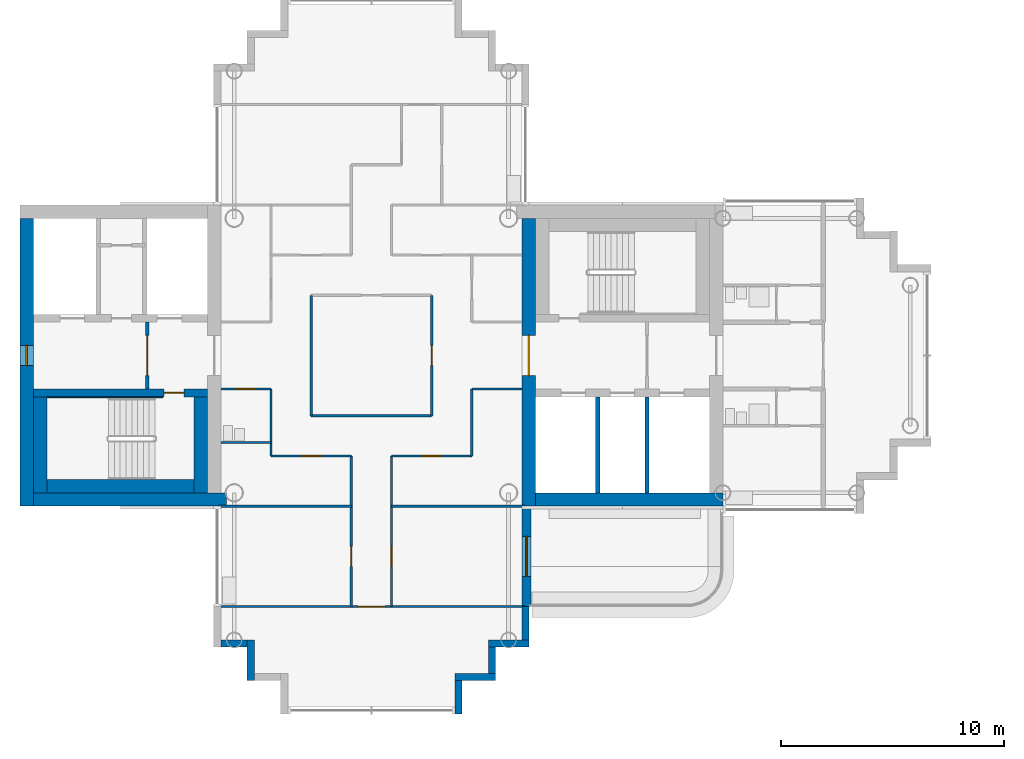
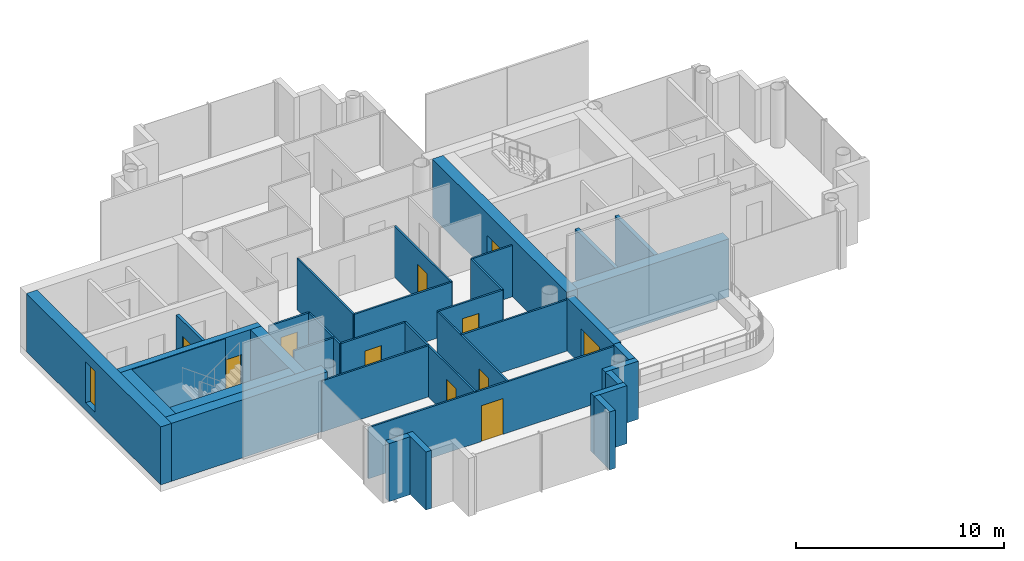
# One storey, part 6 of 18: 35 walls, 11 doors, 1 window, 12 openings.
"""IFC4 building model written with IfcOpenShell, lengths in metres."""

from ifc_helpers import new_model, si_unit, direction, frame, frame_2d, origin, place, context, subcontext, project, spatial, rectangle, extrude, material, layer, layer_set, type_object, element, fill, save


model = new_model("IFC4")

# Units and contexts
model_context = context("Model", 3, precision=1e-05, world=origin(), true_north=direction((0.0, 1.0)))
body_context = subcontext(model_context, "Body", "Model", "MODEL_VIEW")
ifc_project = project(units=[si_unit("LENGTHUNIT", "METRE"), si_unit("AREAUNIT", "SQUARE_METRE"), si_unit("VOLUMEUNIT", "CUBIC_METRE"), si_unit("PLANEANGLEUNIT", "RADIAN"), si_unit("MASSUNIT", "GRAM", prefix="KILO")], contexts=[model_context])

# Site, building, storey
site_placement = place(None, origin())
site = spatial("IfcSite", under=ifc_project, at=site_placement, CompositionType="ELEMENT")
building_placement = place(site_placement, origin())
building = spatial("IfcBuilding", under=site, at=building_placement, Name="Ipe Terrace Towers", CompositionType="ELEMENT")
storey_placement = place(building_placement, frame((0.0, 0.0, 199.39990234375)))
storey = spatial("IfcBuildingStorey", under=building, at=storey_placement, Name="L55", CompositionType="ELEMENT", Elevation=199.39990234375)

# Wall, opening, door
ifc_material_1 = material(Name="Concrete C40/50 with buff precast cladding", Category="concrete")
ifc_layer_1 = layer(ifc_material_1, 0.39990234375)
ifc_layer_set_1 = layer_set([ifc_layer_1], Name="BALCONY BAY WALL 400")
wall_type_1 = type_object("IfcWallType", Name="BALCONY BAY WALL 400", PredefinedType="STANDARD", material=ifc_layer_set_1)
wall_1_placement = place(storey_placement, frame((-29.050048828125, -11.25, -0.02001953125), z_axis=(0.0, 0.0, 1.0), x_axis=(0.0, 1.0, 0.0)))
wall_1 = element("IfcWall", 1, at=wall_1_placement, inside=storey, type_object=wall_type_1, Name="T1-W-L55-14a wall", PredefinedType="STANDARD", context=body_context, shape_type="SweptSolid", body=[
    extrude(rectangle(XDim=4.5, YDim=0.39990234375, at=frame_2d((2.25, 0.0))), origin(), (0.0, 0.0, 1.0), 3.1201171875),
])
opening_1_placement = place(wall_1_placement, frame((1.35009765625, 0.0, 0.02001953125)))
opening_1 = element("IfcOpeningElement", 2, at=opening_1_placement, cuts=wall_1, Name="Opening T1-D-L55-14", PredefinedType="OPENING", context=body_context, shape_type="SweptSolid", body=[
    extrude(rectangle(XDim=1.800048828125, YDim=2.10009765625, at=frame_2d((0.89990234375, 1.050048828125))), frame((0.0, 0.2099609375, 0.0), z_axis=(0.0, -1.0, 0.0), x_axis=(1.0, 0.0, 0.0)), (0.0, 0.0, 1.0), 0.419921875),
])
ifc_material_2 = material(Name="Aluminium alloy 6063-T6 framed glazed door", Category="aluminium")
door_type_1 = type_object("IfcDoorType", Name="BALCONY DOOR 1800 x 2100 LEFT", OperationType="SINGLE_SWING_LEFT", PredefinedType="DOOR", material=ifc_material_2)
door_1_placement = place(opening_1_placement, origin())
door_1 = element("IfcDoor", 3, at=door_1_placement, inside=storey, type_object=door_type_1, Name="DB1 door", OperationType="SINGLE_SWING_LEFT", OverallHeight=2.10009765625, OverallWidth=1.800048828125, PredefinedType="DOOR", context=body_context, shape_type="SweptSolid", body=[
    extrude(rectangle(XDim=1.800048828125, YDim=2.10009765625, at=frame_2d((0.89990234375, 1.050048828125))), frame((0.0, 0.02490234375, 0.0), z_axis=(0.0, -1.0, 0.0), x_axis=(1.0, 0.0, 0.0)), (0.0, 0.0, 1.0), 0.050048828125),
])
fill(opening_1, door_1)

# Walls
ifc_material_3 = material(Name="Concrete C40/50 with buff precast cladding", Category="concrete")
ifc_layer_2 = layer(ifc_material_3, 0.320068359375)
ifc_layer_set_2 = layer_set([ifc_layer_2], Name="BUFF CLADDING WALL 320")
wall_type_2 = type_object("IfcWallType", Name="BUFF CLADDING WALL 320", PredefinedType="STANDARD", material=ifc_layer_set_2)
wall_2_placement = place(storey_placement, frame((-42.75, -12.909912109375, -0.2998046875), z_axis=(0.0, 0.0, 1.0), x_axis=(1.0, 0.0, 0.0)))
element("IfcWall", 4, at=wall_2_placement, inside=storey, type_object=wall_type_2, Name="T1-W-L55-04a wall", PredefinedType="STANDARD", context=body_context, shape_type="SweptSolid", body=[
    extrude(rectangle(XDim=1.179931640625, YDim=0.320068359375, at=frame_2d((0.58984375, 0.0))), origin(), (0.0, 0.0, 1.0), 3.39990234375),
])
wall_3_placement = place(storey_placement, frame((-41.409912109375, -12.75, -0.2998046875), z_axis=(0.0, 0.0, 1.0), x_axis=(0.0, -1.0, 0.0)))
element("IfcWall", 5, at=wall_3_placement, inside=storey, type_object=wall_type_2, Name="T1-W-L55-05a wall", PredefinedType="STANDARD", context=body_context, shape_type="SweptSolid", body=[
    extrude(rectangle(XDim=1.820068359375, YDim=0.320068359375, at=frame_2d((0.91015625, 0.0))), origin(), (0.0, 0.0, 1.0), 3.39990234375),
])
wall_4_placement = place(storey_placement, frame((-32.090087890625, -16.070068359375, -0.2998046875), z_axis=(0.0, 0.0, 1.0), x_axis=(0.0, 1.0, 0.0)))
element("IfcWall", 6, at=wall_4_placement, inside=storey, type_object=wall_type_2, Name="T1-W-L55-09a wall", PredefinedType="STANDARD", context=body_context, shape_type="SweptSolid", body=[
    extrude(rectangle(XDim=1.5, YDim=0.320068359375, at=frame_2d((0.75, 0.0))), origin(), (0.0, 0.0, 1.0), 3.39990234375),
])
wall_5_placement = place(storey_placement, frame((-32.25, -14.409912109375, -0.2998046875), z_axis=(0.0, 0.0, 1.0), x_axis=(1.0, 0.0, 0.0)))
element("IfcWall", 7, at=wall_5_placement, inside=storey, type_object=wall_type_2, Name="T1-W-L55-10a wall", PredefinedType="STANDARD", context=body_context, shape_type="SweptSolid", body=[
    extrude(rectangle(XDim=1.820068359375, YDim=0.320068359375, at=frame_2d((0.91015625, 0.0))), origin(), (0.0, 0.0, 1.0), 3.39990234375),
])
wall_6_placement = place(storey_placement, frame((-30.590087890625, -14.25, -0.2998046875), z_axis=(0.0, 0.0, 1.0), x_axis=(0.0, 1.0, 0.0)))
element("IfcWall", 8, at=wall_6_placement, inside=storey, type_object=wall_type_2, Name="T1-W-L55-11a wall", PredefinedType="STANDARD", context=body_context, shape_type="SweptSolid", body=[
    extrude(rectangle(XDim=1.179931640625, YDim=0.320068359375, at=frame_2d((0.58984375, 0.0))), origin(), (0.0, 0.0, 1.0), 3.39990234375),
])
wall_7_placement = place(storey_placement, frame((-30.75, -12.909912109375, -0.2998046875), z_axis=(0.0, 0.0, 1.0), x_axis=(1.0, 0.0, 0.0)))
element("IfcWall", 9, at=wall_7_placement, inside=storey, type_object=wall_type_2, Name="T1-W-L55-12a wall", PredefinedType="STANDARD", context=body_context, shape_type="SweptSolid", body=[
    extrude(rectangle(XDim=1.820068359375, YDim=0.320068359375, at=frame_2d((0.91015625, 0.0))), origin(), (0.0, 0.0, 1.0), 3.39990234375),
])
wall_8_placement = place(storey_placement, frame((-29.090087890625, -12.75, -0.2998046875), z_axis=(0.0, 0.0, 1.0), x_axis=(0.0, 1.0, 0.0)))
element("IfcWall", 10, at=wall_8_placement, inside=storey, type_object=wall_type_2, Name="T1-W-L55-13a wall", PredefinedType="STANDARD", context=body_context, shape_type="SweptSolid", body=[
    extrude(rectangle(XDim=1.5, YDim=0.320068359375, at=frame_2d((0.75, 0.0))), origin(), (0.0, 0.0, 1.0), 3.39990234375),
])
ifc_material_4 = material(Name="Gypsum board partition", Category="plasterboard")
ifc_layer_3 = layer(ifc_material_4, 0.10009765625)
ifc_layer_set_3 = layer_set([ifc_layer_3], Name="Gypsum board partition 100 mm")
wall_type_3 = type_object("IfcWallType", Name="Gypsum board partition 100 mm", PredefinedType="PARTITIONING", material=ifc_layer_set_3)
wall_9_placement = place(storey_placement, frame((-40.5, -4.5, 0.0), z_axis=(0.0, 0.0, 1.0), x_axis=(0.0, 1.0, 0.0)))
element("IfcWall", 11, at=wall_9_placement, inside=storey, type_object=wall_type_3, Name="Gypsum board partition T1 L55 W01", PredefinedType="PARTITIONING", context=body_context, shape_type="SweptSolid", body=[
    extrude(rectangle(XDim=3.0, YDim=0.10009765625, at=frame_2d((1.5, 0.0))), origin(), (0.0, 0.0, 1.0), 3.0),
])
wall_10_placement = place(storey_placement, frame((-38.699951171875, -2.699951171875, 0.0), z_axis=(0.0, 0.0, 1.0), x_axis=(0.0, 1.0, 0.0)))
element("IfcWall", 12, at=wall_10_placement, inside=storey, type_object=wall_type_3, Name="Gypsum board partition T1 L55 W03", PredefinedType="PARTITIONING", context=body_context, shape_type="SweptSolid", body=[
    extrude(rectangle(XDim=5.39990234375, YDim=0.10009765625, at=frame_2d((2.699951171875, 0.0))), origin(), (0.0, 0.0, 1.0), 3.0),
])

# Wall, opening, door
wall_11_placement = place(storey_placement, frame((-36.89990234375, -11.25, 0.0), z_axis=(0.0, 0.0, 1.0), x_axis=(0.0, 1.0, 0.0)))
wall_11 = element("IfcWall", 13, at=wall_11_placement, inside=storey, type_object=wall_type_3, Name="Gypsum board partition T1 L55 W04", PredefinedType="PARTITIONING", context=body_context, shape_type="SweptSolid", body=[
    extrude(rectangle(XDim=6.75, YDim=0.10009765625, at=frame_2d((3.375, 0.0))), origin(), (0.0, 0.0, 1.0), 3.0),
])
opening_2_placement = place(wall_11_placement, frame((1.800048828125, 0.0, 0.0)))
opening_2 = element("IfcOpeningElement", 14, at=opening_2_placement, cuts=wall_11, Name="Opening T1-Z4D-14", PredefinedType="OPENING", context=body_context, shape_type="SweptSolid", body=[
    extrude(rectangle(XDim=0.89990234375, YDim=2.10009765625, at=frame_2d((0.449951171875, 1.050048828125))), frame((0.0, 0.06005859375, 0.0), z_axis=(0.0, -1.0, 0.0), x_axis=(1.0, 0.0, 0.0)), (0.0, 0.0, 1.0), 0.1201171875),
])
ifc_material_5 = material(Name="Timber door leaf", Category="wood")
door_type_2 = type_object("IfcDoorType", Name="Lounge door 900 x 2100", OperationType="NOTDEFINED", PredefinedType="DOOR", material=ifc_material_5)
door_2_placement = place(opening_2_placement, origin())
door_2 = element("IfcDoor", 15, at=door_2_placement, inside=storey, type_object=door_type_2, Name="Lounge door T1-Z4D-14", OperationType="SINGLE_SWING_RIGHT", OverallHeight=2.10009765625, OverallWidth=0.89990234375, PredefinedType="DOOR", context=body_context, shape_type="SweptSolid", body=[
    extrude(rectangle(XDim=0.89990234375, YDim=2.10009765625, at=frame_2d((0.449951171875, 1.050048828125))), frame((0.0, 0.02490234375, 0.0), z_axis=(0.0, -1.0, 0.0), x_axis=(1.0, 0.0, 0.0)), (0.0, 0.0, 1.0), 0.050048828125),
])
fill(opening_2, door_2)

wall_12_placement = place(storey_placement, frame((-35.10009765625, -11.25, 0.0), z_axis=(0.0, 0.0, 1.0), x_axis=(0.0, 1.0, 0.0)))
wall_12 = element("IfcWall", 16, at=wall_12_placement, inside=storey, type_object=wall_type_3, Name="Gypsum board partition T1 L55 W06", PredefinedType="PARTITIONING", context=body_context, shape_type="SweptSolid", body=[
    extrude(rectangle(XDim=6.75, YDim=0.10009765625, at=frame_2d((3.375, 0.0))), origin(), (0.0, 0.0, 1.0), 3.0),
])
opening_3_placement = place(wall_12_placement, frame((1.800048828125, 0.0, 0.0)))
opening_3 = element("IfcOpeningElement", 17, at=opening_3_placement, cuts=wall_12, Name="Opening T1-Z4D-13", PredefinedType="OPENING", context=body_context, shape_type="SweptSolid", body=[
    extrude(rectangle(XDim=0.89990234375, YDim=2.10009765625, at=frame_2d((0.449951171875, 1.050048828125))), frame((0.0, 0.06005859375, 0.0), z_axis=(0.0, -1.0, 0.0), x_axis=(1.0, 0.0, 0.0)), (0.0, 0.0, 1.0), 0.1201171875),
])
door_3_placement = place(opening_3_placement, origin())
door_3 = element("IfcDoor", 18, at=door_3_placement, inside=storey, type_object=door_type_2, Name="Lounge door T1-Z4D-13", OperationType="SINGLE_SWING_LEFT", OverallHeight=2.10009765625, OverallWidth=0.89990234375, PredefinedType="DOOR", context=body_context, shape_type="SweptSolid", body=[
    extrude(rectangle(XDim=0.89990234375, YDim=2.10009765625, at=frame_2d((0.449951171875, 1.050048828125))), frame((0.0, 0.02490234375, 0.0), z_axis=(0.0, -1.0, 0.0), x_axis=(1.0, 0.0, 0.0)), (0.0, 0.0, 1.0), 0.050048828125),
])
fill(opening_3, door_3)

wall_13_placement = place(storey_placement, frame((-33.300048828125, -2.699951171875, 0.0), z_axis=(0.0, 0.0, 1.0), x_axis=(0.0, 1.0, 0.0)))
wall_13 = element("IfcWall", 19, at=wall_13_placement, inside=storey, type_object=wall_type_3, Name="Gypsum board partition T1 L55 W09", PredefinedType="PARTITIONING", context=body_context, shape_type="SweptSolid", body=[
    extrude(rectangle(XDim=5.39990234375, YDim=0.10009765625, at=frame_2d((2.699951171875, 0.0))), origin(), (0.0, 0.0, 1.0), 3.0),
])
opening_4_placement = place(wall_13_placement, frame((2.25, 0.0, 0.0)))
opening_4 = element("IfcOpeningElement", 20, at=opening_4_placement, cuts=wall_13, Name="Opening T1-Z4D-02", PredefinedType="OPENING", context=body_context, shape_type="SweptSolid", body=[
    extrude(rectangle(XDim=0.89990234375, YDim=2.10009765625, at=frame_2d((0.449951171875, 1.050048828125))), frame((0.0, 0.06005859375, 0.0), z_axis=(0.0, -1.0, 0.0), x_axis=(1.0, 0.0, 0.0)), (0.0, 0.0, 1.0), 0.1201171875),
])
door_4_placement = place(opening_4_placement, origin())
door_4 = element("IfcDoor", 21, at=door_4_placement, inside=storey, type_object=door_type_2, Name="Lounge door T1-Z4D-02", OperationType="SINGLE_SWING_LEFT", OverallHeight=2.10009765625, OverallWidth=0.89990234375, PredefinedType="DOOR", context=body_context, shape_type="SweptSolid", body=[
    extrude(rectangle(XDim=0.89990234375, YDim=2.10009765625, at=frame_2d((0.449951171875, 1.050048828125))), frame((0.0, 0.02490234375, 0.0), z_axis=(0.0, -1.0, 0.0), x_axis=(1.0, 0.0, 0.0)), (0.0, 0.0, 1.0), 0.050048828125),
])
fill(opening_4, door_4)

# Wall
wall_14_placement = place(storey_placement, frame((-31.5, -4.5, 0.0), z_axis=(0.0, 0.0, 1.0), x_axis=(0.0, 1.0, 0.0)))
element("IfcWall", 22, at=wall_14_placement, inside=storey, type_object=wall_type_3, Name="Gypsum board partition T1 L55 W11", PredefinedType="PARTITIONING", context=body_context, shape_type="SweptSolid", body=[
    extrude(rectangle(XDim=3.0, YDim=0.10009765625, at=frame_2d((1.5, 0.0))), origin(), (0.0, 0.0, 1.0), 3.0),
])

# Wall, opening, door
wall_15_placement = place(storey_placement, frame((-42.85009765625, -11.25, 0.0), z_axis=(0.0, 0.0, 1.0), x_axis=(1.0, 0.0, 0.0)))
wall_15 = element("IfcWall", 23, at=wall_15_placement, inside=storey, type_object=wall_type_3, Name="Gypsum board partition T1 L55 W18", PredefinedType="PARTITIONING", context=body_context, shape_type="SweptSolid", body=[
    extrude(rectangle(XDim=13.7001953125, YDim=0.10009765625, at=frame_2d((6.85009765625, 0.0))), origin(), (0.0, 0.0, 1.0), 3.0),
])
opening_5_placement = place(wall_15_placement, frame((6.25, 0.0, 0.0)))
opening_5 = element("IfcOpeningElement", 24, at=opening_5_placement, cuts=wall_15, Name="Opening T1-Z4D-15", PredefinedType="OPENING", context=body_context, shape_type="SweptSolid", body=[
    extrude(rectangle(XDim=1.199951171875, YDim=2.10009765625, at=frame_2d((0.60009765625, 1.050048828125))), frame((0.0, 0.06005859375, 0.0), z_axis=(0.0, -1.0, 0.0), x_axis=(1.0, 0.0, 0.0)), (0.0, 0.0, 1.0), 0.1201171875),
])
ifc_material_6 = material(Name="Timber door leaf", Category="wood")
door_type_3 = type_object("IfcDoorType", Name="Lounge door 1200 x 2100", OperationType="NOTDEFINED", PredefinedType="DOOR", material=ifc_material_6)
door_5_placement = place(opening_5_placement, origin())
door_5 = element("IfcDoor", 25, at=door_5_placement, inside=storey, type_object=door_type_3, Name="Lounge door T1-Z4D-15", OperationType="SINGLE_SWING_RIGHT", OverallHeight=2.10009765625, OverallWidth=1.199951171875, PredefinedType="DOOR", context=body_context, shape_type="SweptSolid", body=[
    extrude(rectangle(XDim=1.199951171875, YDim=2.10009765625, at=frame_2d((0.60009765625, 1.050048828125))), frame((0.0, 0.02490234375, 0.0), z_axis=(0.0, -1.0, 0.0), x_axis=(1.0, 0.0, 0.0)), (0.0, 0.0, 1.0), 0.050048828125),
])
fill(opening_5, door_5)

# Walls
for number, where, z_axis, x_axis, name in (
    (26, (-42.85009765625, -6.75, 0.0), (0.0, 0.0, 1.0), (1.0, 0.0, 0.0), "Gypsum board partition T1 L55 W19"),
    (27, (-35.10009765625, -6.75, 0.0), (0.0, 0.0, 1.0), (1.0, 0.0, 0.0), "Gypsum board partition T1 L55 W20"),
):
    element("IfcWall", number, at=place(storey_placement, frame(where, z_axis=z_axis, x_axis=x_axis)), inside=storey, type_object=wall_type_3, Name=name, PredefinedType="PARTITIONING", context=body_context, shape_type="SweptSolid", body=[
        extrude(rectangle(XDim=5.9501953125, YDim=0.10009765625, at=frame_2d((2.97509765625, 0.0))), origin(), (0.0, 0.0, 1.0), 3.0),
    ])

# Wall, opening, door
wall_16_placement = place(storey_placement, frame((-40.5, -4.5, 0.0), z_axis=(0.0, 0.0, 1.0), x_axis=(1.0, 0.0, 0.0)))
wall_16 = element("IfcWall", 28, at=wall_16_placement, inside=storey, type_object=wall_type_3, Name="Gypsum board partition T1 L55 W21", PredefinedType="PARTITIONING", context=body_context, shape_type="SweptSolid", body=[
    extrude(rectangle(XDim=3.60009765625, YDim=0.10009765625, at=frame_2d((1.800048828125, 0.0))), origin(), (0.0, 0.0, 1.0), 3.0),
])
opening_6_placement = place(wall_16_placement, frame((1.35009765625, 0.0, 0.0)))
opening_6 = element("IfcOpeningElement", 29, at=opening_6_placement, cuts=wall_16, Name="Opening T1-Z4D-08", PredefinedType="OPENING", context=body_context, shape_type="SweptSolid", body=[
    extrude(rectangle(XDim=0.89990234375, YDim=2.10009765625, at=frame_2d((0.449951171875, 1.050048828125))), frame((0.0, 0.06005859375, 0.0), z_axis=(0.0, -1.0, 0.0), x_axis=(1.0, 0.0, 0.0)), (0.0, 0.0, 1.0), 0.1201171875),
])
door_6_placement = place(opening_6_placement, origin())
door_6 = element("IfcDoor", 30, at=door_6_placement, inside=storey, type_object=door_type_2, Name="Lounge door T1-Z4D-08", OperationType="SINGLE_SWING_LEFT", OverallHeight=2.10009765625, OverallWidth=0.89990234375, PredefinedType="DOOR", context=body_context, shape_type="SweptSolid", body=[
    extrude(rectangle(XDim=0.89990234375, YDim=2.10009765625, at=frame_2d((0.449951171875, 1.050048828125))), frame((0.0, 0.02490234375, 0.0), z_axis=(0.0, -1.0, 0.0), x_axis=(1.0, 0.0, 0.0)), (0.0, 0.0, 1.0), 0.050048828125),
])
fill(opening_6, door_6)

wall_17_placement = place(storey_placement, frame((-35.10009765625, -4.5, 0.0), z_axis=(0.0, 0.0, 1.0), x_axis=(1.0, 0.0, 0.0)))
wall_17 = element("IfcWall", 31, at=wall_17_placement, inside=storey, type_object=wall_type_3, Name="Gypsum board partition T1 L55 W22", PredefinedType="PARTITIONING", context=body_context, shape_type="SweptSolid", body=[
    extrude(rectangle(XDim=3.60009765625, YDim=0.10009765625, at=frame_2d((1.800048828125, 0.0))), origin(), (0.0, 0.0, 1.0), 3.0),
])
opening_7_placement = place(wall_17_placement, frame((1.35009765625, 0.0, 0.0)))
opening_7 = element("IfcOpeningElement", 32, at=opening_7_placement, cuts=wall_17, Name="Opening T1-Z4D-09", PredefinedType="OPENING", context=body_context, shape_type="SweptSolid", body=[
    extrude(rectangle(XDim=0.89990234375, YDim=2.10009765625, at=frame_2d((0.449951171875, 1.050048828125))), frame((0.0, 0.06005859375, 0.0), z_axis=(0.0, -1.0, 0.0), x_axis=(1.0, 0.0, 0.0)), (0.0, 0.0, 1.0), 0.1201171875),
])
door_7_placement = place(opening_7_placement, origin())
door_7 = element("IfcDoor", 33, at=door_7_placement, inside=storey, type_object=door_type_2, Name="Lounge door T1-Z4D-09", OperationType="SINGLE_SWING_LEFT", OverallHeight=2.10009765625, OverallWidth=0.89990234375, PredefinedType="DOOR", context=body_context, shape_type="SweptSolid", body=[
    extrude(rectangle(XDim=0.89990234375, YDim=2.10009765625, at=frame_2d((0.449951171875, 1.050048828125))), frame((0.0, 0.02490234375, 0.0), z_axis=(0.0, -1.0, 0.0), x_axis=(1.0, 0.0, 0.0)), (0.0, 0.0, 1.0), 0.050048828125),
])
fill(opening_7, door_7)

# Walls
wall_18_placement = place(storey_placement, frame((-42.75, -3.89990234375, 0.0), z_axis=(0.0, 0.0, 1.0), x_axis=(1.0, 0.0, 0.0)))
element("IfcWall", 34, at=wall_18_placement, inside=storey, type_object=wall_type_3, Name="Gypsum board partition T1 L55 W23", PredefinedType="PARTITIONING", context=body_context, shape_type="SweptSolid", body=[
    extrude(rectangle(XDim=2.25, YDim=0.10009765625, at=frame_2d((1.125, 0.0))), origin(), (0.0, 0.0, 1.0), 3.0),
])
wall_19_placement = place(storey_placement, frame((-38.699951171875, -2.699951171875, 0.0), z_axis=(0.0, 0.0, 1.0), x_axis=(1.0, 0.0, 0.0)))
element("IfcWall", 35, at=wall_19_placement, inside=storey, type_object=wall_type_3, Name="Gypsum board partition T1 L55 W25", PredefinedType="PARTITIONING", context=body_context, shape_type="SweptSolid", body=[
    extrude(rectangle(XDim=5.39990234375, YDim=0.10009765625, at=frame_2d((2.699951171875, 0.0))), origin(), (0.0, 0.0, 1.0), 3.0),
])

# Wall, opening, door
wall_20_placement = place(storey_placement, frame((-42.75, -1.5, 0.0), z_axis=(0.0, 0.0, 1.0), x_axis=(1.0, 0.0, 0.0)))
wall_20 = element("IfcWall", 36, at=wall_20_placement, inside=storey, type_object=wall_type_3, Name="Gypsum board partition T1 L55 W26", PredefinedType="PARTITIONING", context=body_context, shape_type="SweptSolid", body=[
    extrude(rectangle(XDim=2.25, YDim=0.10009765625, at=frame_2d((1.125, 0.0))), origin(), (0.0, 0.0, 1.0), 3.0),
])
opening_8_placement = place(wall_20_placement, frame((0.675048828125, 0.0, 0.0)))
opening_8 = element("IfcOpeningElement", 37, at=opening_8_placement, cuts=wall_20, Name="Opening T1-Z4D-03", PredefinedType="OPENING", context=body_context, shape_type="SweptSolid", body=[
    extrude(rectangle(XDim=0.89990234375, YDim=2.10009765625, at=frame_2d((0.449951171875, 1.050048828125))), frame((0.0, 0.06005859375, 0.0), z_axis=(0.0, -1.0, 0.0), x_axis=(1.0, 0.0, 0.0)), (0.0, 0.0, 1.0), 0.1201171875),
])
ifc_material_7 = material(Name="Timber door leaf", Category="wood")
door_type_4 = type_object("IfcDoorType", Name="Bathroom door 900 x 2100", OperationType="NOTDEFINED", PredefinedType="DOOR", material=ifc_material_7)
door_8_placement = place(opening_8_placement, origin())
door_8 = element("IfcDoor", 38, at=door_8_placement, inside=storey, type_object=door_type_4, Name="Bathroom door T1-Z4D-03", OperationType="SINGLE_SWING_RIGHT", OverallHeight=2.10009765625, OverallWidth=0.89990234375, PredefinedType="DOOR", context=body_context, shape_type="SweptSolid", body=[
    extrude(rectangle(XDim=0.89990234375, YDim=2.10009765625, at=frame_2d((0.449951171875, 1.050048828125))), frame((0.0, 0.02490234375, 0.0), z_axis=(0.0, -1.0, 0.0), x_axis=(1.0, 0.0, 0.0)), (0.0, 0.0, 1.0), 0.050048828125),
])
fill(opening_8, door_8)

# Wall
wall_21_placement = place(storey_placement, frame((-31.5, -1.5, 0.0), z_axis=(0.0, 0.0, 1.0), x_axis=(1.0, 0.0, 0.0)))
element("IfcWall", 39, at=wall_21_placement, inside=storey, type_object=wall_type_3, Name="Gypsum board partition T1 L55 W27", PredefinedType="PARTITIONING", context=body_context, shape_type="SweptSolid", body=[
    extrude(rectangle(XDim=2.25, YDim=0.10009765625, at=frame_2d((1.125, 0.0))), origin(), (0.0, 0.0, 1.0), 3.0),
])

# Wall, opening, door
ifc_material_8 = material(Name="Gypsum board partition", Category="plasterboard")
ifc_layer_4 = layer(ifc_material_8, 0.14990234375)
ifc_layer_set_4 = layer_set([ifc_layer_4], Name="Gypsum board partition 150 mm")
wall_type_4 = type_object("IfcWallType", Name="Gypsum board partition 150 mm", PredefinedType="PARTITIONING", material=ifc_layer_set_4)
wall_22_placement = place(storey_placement, frame((-46.050048828125, 1.5, 0.0), z_axis=(0.0, 0.0, 1.0), x_axis=(0.0, -1.0, 0.0)))
wall_22 = element("IfcWall", 40, at=wall_22_placement, inside=storey, type_object=wall_type_4, Name="Gypsum board partition T1 L55 t1c2-lobby-wall", PredefinedType="PARTITIONING", context=body_context, shape_type="SweptSolid", body=[
    extrude(rectangle(XDim=3.0, YDim=0.14990234375, at=frame_2d((1.5, 0.0))), origin(), (0.0, 0.0, 1.0), 3.0),
])
opening_9_placement = place(wall_22_placement, frame((0.60009765625, 0.0, 0.0)))
opening_9 = element("IfcOpeningElement", 41, at=opening_9_placement, cuts=wall_22, Name="Opening T1C2-VD", PredefinedType="OPENING", context=body_context, shape_type="SweptSolid", body=[
    extrude(rectangle(XDim=1.800048828125, YDim=2.10009765625, at=frame_2d((0.89990234375, 1.050048828125))), frame((0.0, 0.0849609375, 0.0), z_axis=(0.0, -1.0, 0.0), x_axis=(1.0, 0.0, 0.0)), (0.0, 0.0, 1.0), 0.169921875),
])
ifc_material_9 = material(Name="Fire-rated timber door leaf", Category="wood")
door_type_5 = type_object("IfcDoorType", Name="Lobby door 1800 x 2100 FD60", OperationType="NOTDEFINED", PredefinedType="DOOR", material=ifc_material_9)
door_9_placement = place(opening_9_placement, origin())
door_9 = element("IfcDoor", 42, at=door_9_placement, inside=storey, type_object=door_type_5, Name="Lobby door T1C2-VD", OperationType="SINGLE_SWING_LEFT", OverallHeight=2.10009765625, OverallWidth=1.800048828125, PredefinedType="DOOR", context=body_context, shape_type="SweptSolid", body=[
    extrude(rectangle(XDim=1.800048828125, YDim=2.10009765625, at=frame_2d((0.89990234375, 1.050048828125))), frame((0.0, 0.02490234375, 0.0), z_axis=(0.0, -1.0, 0.0), x_axis=(1.0, 0.0, 0.0)), (0.0, 0.0, 1.0), 0.050048828125),
])
fill(opening_9, door_9)

# Walls
ifc_material_10 = material(Name="Gypsum board party wall", Category="plasterboard")
ifc_layer_5 = layer(ifc_material_10, 0.199951171875)
ifc_layer_set_5 = layer_set([ifc_layer_5], Name="Gypsum board party wall 200 mm")
wall_type_5 = type_object("IfcWallType", Name="Gypsum board party wall 200 mm", PredefinedType="SOLIDWALL", material=ifc_layer_set_5)
for number, where, z_axis, x_axis, name in (
    (43, (-25.85009765625, -6.14990234375, 0.0), (0.0, 0.0, 1.0), (0.0, 1.0, 0.0), "Gypsum board party wall T1 L55 t1c1-shaft-div1"),
    (44, (-23.64990234375, -6.14990234375, 0.0), (0.0, 0.0, 1.0), (0.0, 1.0, 0.0), "Gypsum board party wall T1 L55 t1c1-shaft-div2"),
):
    element("IfcWall", number, at=place(storey_placement, frame(where, z_axis=z_axis, x_axis=x_axis)), inside=storey, type_object=wall_type_5, Name=name, PredefinedType="SOLIDWALL", context=body_context, shape_type="SweptSolid", body=[
        extrude(rectangle(XDim=4.2998046875, YDim=0.199951171875, at=frame_2d((2.14990234375, 0.0))), origin(), (0.0, 0.0, 1.0), 3.0),
    ])

# Wall, opening, door
ifc_material_11 = material(Name="Concrete C40/50", Category="concrete")
ifc_layer_6 = layer(ifc_material_11, 0.35009765625)
ifc_layer_set_6 = layer_set([ifc_layer_6], Name="RW350 CORE SPINE WALL 350 C40-50")
wall_type_6 = type_object("IfcWallType", Name="RW350 CORE SPINE WALL 350 C40-50", PredefinedType="SHEAR", material=ifc_layer_set_6)
wall_23_placement = place(storey_placement, frame((-51.14990234375, -1.675048828125, 0.0), z_axis=(0.0, 0.0, 1.0), x_axis=(1.0, 0.0, 0.0)))
wall_23 = element("IfcWall", 45, at=wall_23_placement, inside=storey, type_object=wall_type_6, Name="Core spine wall T1-C2-Z4-SW1", PredefinedType="SHEAR", context=body_context, shape_type="SweptSolid", body=[
    extrude(rectangle(XDim=7.7998046875, YDim=0.35009765625, at=frame_2d((3.89990234375, 0.0))), origin(), (0.0, 0.0, 1.0), 3.400146484375),
])
opening_10_placement = place(wall_23_placement, frame((5.85009765625, 0.0, 0.0)))
opening_10 = element("IfcOpeningElement", 46, at=opening_10_placement, cuts=wall_23, Name="Opening T1C2-SD", PredefinedType="OPENING", context=body_context, shape_type="SweptSolid", body=[
    extrude(rectangle(XDim=0.89990234375, YDim=2.10009765625, at=frame_2d((0.449951171875, 1.050048828125))), frame((0.0, 0.18505859375, 0.0), z_axis=(0.0, -1.0, 0.0), x_axis=(1.0, 0.0, 0.0)), (0.0, 0.0, 1.0), 0.3701171875),
])
ifc_material_12 = material(Name="Fire-rated timber door leaf", Category="wood")
door_type_6 = type_object("IfcDoorType", Name="Stair door 900 x 2100 FD60", OperationType="NOTDEFINED", PredefinedType="DOOR", material=ifc_material_12)
door_10_placement = place(opening_10_placement, origin())
door_10 = element("IfcDoor", 47, at=door_10_placement, inside=storey, type_object=door_type_6, Name="Stair door T1C2-SD", OperationType="SINGLE_SWING_RIGHT", OverallHeight=2.10009765625, OverallWidth=0.89990234375, PredefinedType="DOOR", context=body_context, shape_type="SweptSolid", body=[
    extrude(rectangle(XDim=0.89990234375, YDim=2.10009765625, at=frame_2d((0.449951171875, 1.050048828125))), frame((0.0, 0.02490234375, 0.0), z_axis=(0.0, -1.0, 0.0), x_axis=(1.0, 0.0, 0.0)), (0.0, 0.0, 1.0), 0.050048828125),
])
fill(opening_10, door_10)

# Walls
ifc_material_13 = material(Name="Concrete C40/50", Category="concrete")
ifc_layer_7 = layer(ifc_material_13, 0.050048828125)
ifc_layer_set_7 = layer_set([ifc_layer_7], Name="RW50 CORE INFILL WALL 50 C40-50")
wall_type_7 = type_object("IfcWallType", Name="RW50 CORE INFILL WALL 50 C40-50", PredefinedType="SHEAR", material=ifc_layer_set_7)
wall_24_placement = place(storey_placement, frame((-45.35009765625, -1.875, 0.0), z_axis=(0.0, 0.0, 1.0), x_axis=(-1.0, 0.0, 0.0)))
element("IfcWall", 48, at=wall_24_placement, inside=storey, type_object=wall_type_7, Name="Core infill wall T1-C2-spine-b", PredefinedType="SHEAR", context=body_context, shape_type="SweptSolid", body=[
    extrude(rectangle(XDim=5.199951171875, YDim=0.050048828125, at=frame_2d((2.60009765625, 0.0))), origin(), (0.0, 0.0, 1.0), 3.400146484375),
])
ifc_material_14 = material(Name="Concrete C40/50", Category="concrete")
ifc_layer_8 = layer(ifc_material_14, 0.60009765625)
ifc_layer_set_8 = layer_set([ifc_layer_8], Name="RW600 CORE INFILL WALL 600 C40-50")
wall_type_8 = type_object("IfcWallType", Name="RW600 CORE INFILL WALL 600 C40-50", PredefinedType="SHEAR", material=ifc_layer_set_8)
wall_25_placement = place(storey_placement, frame((-50.85009765625, -1.85009765625, 0.0), z_axis=(0.0, 0.0, 1.0), x_axis=(0.0, -1.0, 0.0)))
element("IfcWall", 49, at=wall_25_placement, inside=storey, type_object=wall_type_8, Name="Core infill wall T1-C2-far", PredefinedType="SHEAR", context=body_context, shape_type="SweptSolid", body=[
    extrude(rectangle(XDim=4.2998046875, YDim=0.60009765625, at=frame_2d((2.14990234375, 0.0))), origin(), (0.0, 0.0, 1.0), 3.400146484375),
])
wall_26_placement = place(storey_placement, frame((-43.949951171875, -5.85009765625, 0.0), z_axis=(0.0, 0.0, 1.0), x_axis=(-1.0, 0.0, 0.0)))
element("IfcWall", 50, at=wall_26_placement, inside=storey, type_object=wall_type_8, Name="Core infill wall T1-C2-back", PredefinedType="SHEAR", context=body_context, shape_type="SweptSolid", body=[
    extrude(rectangle(XDim=6.60009765625, YDim=0.60009765625, at=frame_2d((3.300048828125, 0.0))), origin(), (0.0, 0.0, 1.0), 3.400146484375),
])
wall_27_placement = place(storey_placement, frame((-43.64990234375, -1.85009765625, 0.0), z_axis=(0.0, 0.0, 1.0), x_axis=(0.0, -1.0, 0.0)))
element("IfcWall", 51, at=wall_27_placement, inside=storey, type_object=wall_type_8, Name="Core infill wall T1-C2-near", PredefinedType="SHEAR", context=body_context, shape_type="SweptSolid", body=[
    extrude(rectangle(XDim=4.2998046875, YDim=0.60009765625, at=frame_2d((2.14990234375, 0.0))), origin(), (0.0, 0.0, 1.0), 3.400146484375),
])
ifc_material_15 = material(Name="Concrete C40/50", Category="concrete")
ifc_layer_9 = layer(ifc_material_15, 0.60009765625)
ifc_layer_set_9 = layer_set([ifc_layer_9], Name="RW600 CORE WALL 600 C40-50")
wall_type_9 = type_object("IfcWallType", Name="RW600 CORE WALL 600 C40-50", PredefinedType="SHEAR", material=ifc_layer_set_9)
wall_28_placement = place(storey_placement, frame((-28.64990234375, -6.449951171875, 0.0), z_axis=(0.0, 0.0, 1.0), x_axis=(1.0, 0.0, 0.0)))
element("IfcWall", 52, at=wall_28_placement, inside=storey, type_object=wall_type_9, Name="Core wall T1-C1-Z4-W01", PredefinedType="SHEAR", context=body_context, shape_type="SweptSolid", body=[
    extrude(rectangle(XDim=8.39990234375, YDim=0.60009765625, at=frame_2d((4.199951171875, 0.0))), origin(), (0.0, 0.0, 1.0), 3.400146484375),
])

# Wall, opening, door
wall_29_placement = place(storey_placement, frame((-28.949951171875, 6.14990234375, 0.0), z_axis=(0.0, 0.0, 1.0), x_axis=(0.0, -1.0, 0.0)))
wall_29 = element("IfcWall", 53, at=wall_29_placement, inside=storey, type_object=wall_type_9, Name="Core wall T1-C1-Z4-W04", PredefinedType="SHEAR", context=body_context, shape_type="SweptSolid", body=[
    extrude(rectangle(XDim=12.89990234375, YDim=0.60009765625, at=frame_2d((6.449951171875, 0.0))), origin(), (0.0, 0.0, 1.0), 3.400146484375),
])
opening_11_placement = place(wall_29_placement, frame((5.25, 0.0, 0.0)))
opening_11 = element("IfcOpeningElement", 54, at=opening_11_placement, cuts=wall_29, Name="Opening T1C1-ND", PredefinedType="OPENING", context=body_context, shape_type="SweptSolid", body=[
    extrude(rectangle(XDim=1.800048828125, YDim=2.10009765625, at=frame_2d((0.89990234375, 1.050048828125))), frame((0.0, 0.31005859375, 0.0), z_axis=(0.0, -1.0, 0.0), x_axis=(1.0, 0.0, 0.0)), (0.0, 0.0, 1.0), 0.6201171875),
])
ifc_material_16 = material(Name="Fire-rated timber door leaf", Category="wood")
door_type_7 = type_object("IfcDoorType", Name="Fire door 1800 x 2100 FD30S", OperationType="NOTDEFINED", PredefinedType="DOOR", material=ifc_material_16)
door_11_placement = place(opening_11_placement, origin())
door_11 = element("IfcDoor", 55, at=door_11_placement, inside=storey, type_object=door_type_7, Name="Fire door T1C1-ND", OperationType="SINGLE_SWING_LEFT", OverallHeight=2.10009765625, OverallWidth=1.800048828125, PredefinedType="DOOR", context=body_context, shape_type="SweptSolid", body=[
    extrude(rectangle(XDim=1.800048828125, YDim=2.10009765625, at=frame_2d((0.89990234375, 1.050048828125))), frame((0.0, 0.02490234375, 0.0), z_axis=(0.0, -1.0, 0.0), x_axis=(1.0, 0.0, 0.0)), (0.0, 0.0, 1.0), 0.050048828125),
])
fill(opening_11, door_11)

# Wall
wall_30_placement = place(storey_placement, frame((-51.14990234375, -6.449951171875, 0.0), z_axis=(0.0, 0.0, 1.0), x_axis=(1.0, 0.0, 0.0)))
element("IfcWall", 56, at=wall_30_placement, inside=storey, type_object=wall_type_9, Name="Core wall T1-C2-Z4-W01", PredefinedType="SHEAR", context=body_context, shape_type="SweptSolid", body=[
    extrude(rectangle(XDim=8.64794921875, YDim=0.60009765625, at=frame_2d((4.323974609375, 0.0))), origin(), (0.0, 0.0, 1.0), 3.400146484375),
])

# Wall, opening, window
wall_31_placement = place(storey_placement, frame((-51.449951171875, 6.14990234375, 0.0), z_axis=(0.0, 0.0, 1.0), x_axis=(0.0, -1.0, 0.0)))
wall_31 = element("IfcWall", 57, at=wall_31_placement, inside=storey, type_object=wall_type_9, Name="Core wall T1-C2-Z4-W04", PredefinedType="SHEAR", context=body_context, shape_type="SweptSolid", body=[
    extrude(rectangle(XDim=12.89990234375, YDim=0.60009765625, at=frame_2d((6.449951171875, 0.0))), origin(), (0.0, 0.0, 1.0), 3.400146484375),
])
opening_12_placement = place(wall_31_placement, frame((5.699951171875, 0.0, 0.449951171875)))
opening_12 = element("IfcOpeningElement", 58, at=opening_12_placement, cuts=wall_31, Name="Opening T1-C2-W-01-L55", PredefinedType="OPENING", context=body_context, shape_type="SweptSolid", body=[
    extrude(rectangle(XDim=0.89990234375, YDim=2.39990234375, at=frame_2d((0.449951171875, 1.199951171875))), frame((0.0, 0.31005859375, 0.0), z_axis=(0.0, -1.0, 0.0), x_axis=(1.0, 0.0, 0.0)), (0.0, 0.0, 1.0), 0.6201171875),
])
ifc_material_17 = material(Name="Fire-resistant glazing EI 60", Category="glass")
window_type = type_object("IfcWindowType", Name="CORRIDOR END SLOT WINDOW 900 x 2400 EI 60", PartitioningType="SINGLE_PANEL", PredefinedType="WINDOW", material=ifc_material_17)
window_placement = place(opening_12_placement, origin())
window = element("IfcWindow", 59, at=window_placement, inside=storey, type_object=window_type, Name="W-01 window", OverallHeight=2.39990234375, OverallWidth=0.89990234375, PartitioningType="SINGLE_PANEL", PredefinedType="WINDOW", context=body_context, shape_type="SweptSolid", body=[
    extrude(rectangle(XDim=0.89990234375, YDim=2.39990234375, at=frame_2d((0.449951171875, 1.199951171875))), frame((0.0, 0.030029296875, 0.0), z_axis=(0.0, -1.0, 0.0), x_axis=(1.0, 0.0, 0.0)), (0.0, 0.0, 1.0), 0.06005859375),
])
fill(opening_12, window)

save(model, "model.ifc")
